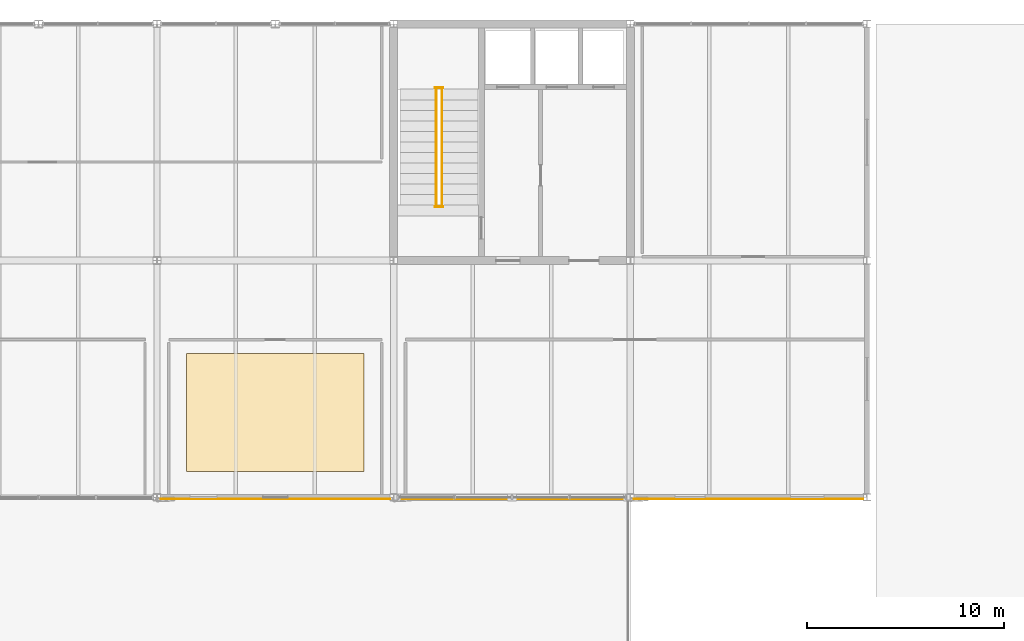
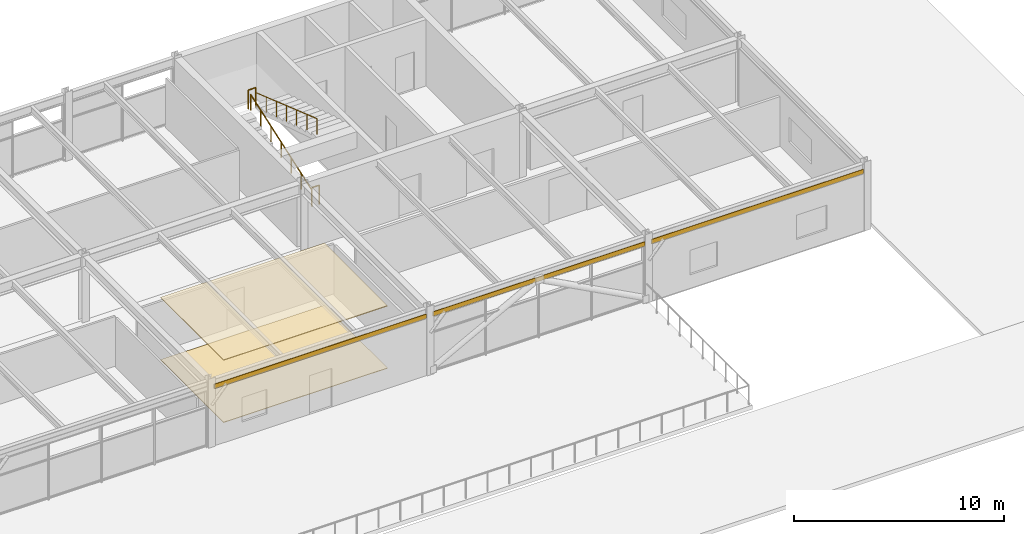
# One storey, part 30 of 30: 4 railings, 3 shading devices, 2 coverings.
"""IFC4 building model written with IfcOpenShell, lengths in metres."""

import ifcopenshell
import ifcopenshell.guid

model = None  # the IFC model being written
_history = None  # IfcOwnerHistory: only IFC2X3 demands one
_inside = {}  # id of a spatial element -> (the spatial element, [elements in it])
_under = {}  # id of a project, library or spatial element -> (it, [spatial elements below it])
_declared = {}  # id of a project -> (the project, [libraries it declares])
_typed = {}  # id of a type object -> (the type object, [elements of that type])
_made_of = {}  # id of a material, layer set ... -> (it, [elements and type objects made of it])


def new_model(schema):
    """Start an empty IFC model of exactly this schema.

    Asked for "IFC4X3", IfcOpenShell would pick the latest addendum, in which some entities
    have other attributes; the version numbers below select the first issue.
    IFC2X3 requires an IfcOwnerHistory on every rooted entity: one is made here for all.
    """
    global model, _history
    if schema == "IFC4X3":
        model = ifcopenshell.file(schema_version=(4, 3, 0, 0))
    else:
        model = ifcopenshell.file(schema=schema)
    _inside.clear()
    _under.clear()
    _declared.clear()
    _typed.clear()
    _made_of.clear()
    _history = None
    if model.schema == "IFC2X3":
        org = make("IfcOrganization", Name="unknown")
        user = make(
            "IfcPersonAndOrganization",
            ThePerson=make("IfcPerson", FamilyName="unknown"),
            TheOrganization=org,
        )
        app = make(
            "IfcApplication",
            ApplicationDeveloper=org,
            Version="unknown",
            ApplicationFullName="unknown",
            ApplicationIdentifier="unknown",
        )
        _history = make(
            "IfcOwnerHistory",
            OwningUser=user,
            OwningApplication=app,
            ChangeAction="ADDED",
            CreationDate=0,
        )
    return model


def make(cls, **values):
    """One entity of the class cls with the attributes given. An attribute that is None is left unset."""
    return model.create_entity(
        cls, **{name: value for name, value in values.items() if value is not None}
    )


def rooted(cls, **values):
    """An entity with a GlobalId (a new one), such as an element, a storey or a relation."""
    return make(cls, GlobalId=ifcopenshell.guid.new(), OwnerHistory=_history, **values)


def si_unit(unit_type, name, prefix=None):
    """IfcSIUnit, for example si_unit("LENGTHUNIT", "METRE", prefix="MILLI")."""
    return make("IfcSIUnit", UnitType=unit_type, Prefix=prefix, Name=name)


def assignment(units):
    """IfcUnitAssignment: the units of a project."""
    return None if units is None else make("IfcUnitAssignment", Units=units)


def point(xyz):
    """IfcCartesianPoint."""
    return None if xyz is None else make("IfcCartesianPoint", Coordinates=xyz)


def direction(xyz):
    """IfcDirection."""
    return None if xyz is None else make("IfcDirection", DirectionRatios=xyz)


def frame(location, z_axis=None, x_axis=None):
    """IfcAxis2Placement3D, a coordinate frame: its origin and axes. An axis left out is left unset."""
    return make(
        "IfcAxis2Placement3D",
        Location=point(location),
        Axis=direction(z_axis),
        RefDirection=direction(x_axis),
    )


def frame_2d(location, x_axis=None):
    """IfcAxis2Placement2D, a coordinate frame in the plane: its origin and x axis."""
    return make(
        "IfcAxis2Placement2D", Location=point(location), RefDirection=direction(x_axis)
    )


def origin():
    """The frame at (0, 0, 0) with its axes left unset."""
    return frame((0.0, 0.0, 0.0))


def origin_2d():
    """The frame at (0, 0) in the plane with its x axis left unset."""
    return frame_2d((0.0, 0.0))


def place(relative_to, where):
    """IfcLocalPlacement: puts the frame where relative to a parent placement (None: the world)."""
    return make(
        "IfcLocalPlacement", PlacementRelTo=relative_to, RelativePlacement=where
    )


def context(
    kind, dimensions, precision=None, world=None, true_north=None, identifier=None
):
    """IfcGeometricRepresentationContext, for example the 3D "Model" context."""
    return make(
        "IfcGeometricRepresentationContext",
        ContextIdentifier=identifier,
        ContextType=kind,
        CoordinateSpaceDimension=dimensions,
        Precision=precision,
        WorldCoordinateSystem=world,
        TrueNorth=true_north,
    )


def subcontext(parent, identifier, kind, view, scale=None):
    """IfcGeometricRepresentationSubContext, for example "Body" below "Model"."""
    return make(
        "IfcGeometricRepresentationSubContext",
        ContextIdentifier=identifier,
        ContextType=kind,
        ParentContext=parent,
        TargetScale=scale,
        TargetView=view,
    )


def project(units=None, contexts=None):
    """IfcProject with its units and contexts."""
    return rooted(
        "IfcProject",
        Name="project",
        RepresentationContexts=contexts,
        UnitsInContext=assignment(units),
    )


def spatial(cls, under=None, at=None, **own):
    """A site, building, storey or space (cls), placed at a placement, below another one or the project."""
    s = rooted(cls, ObjectPlacement=at, **own)
    if under is not None:
        _under.setdefault(under.id(), (under, []))[1].append(s)
    return s


def profile(cls, at=None, kind="AREA", **sizes):
    """A parametric profile (cls). Its sizes go by their IFC names, for example OverallWidth=200.0."""
    return make(cls, ProfileType=kind, Position=at, **sizes)


def rectangle(**sizes):
    """IfcRectangleProfileDef."""
    return profile("IfcRectangleProfileDef", **sizes)


def circle(**sizes):
    """IfcCircleProfileDef."""
    return profile("IfcCircleProfileDef", **sizes)


def extrude(swept, where, along, depth):
    """IfcExtrudedAreaSolid: the profile swept, set in the frame where, extruded along a direction by depth."""
    return make(
        "IfcExtrudedAreaSolid",
        SweptArea=swept,
        Position=where,
        ExtrudedDirection=direction(along),
        Depth=depth,
    )


def shape(context_of_items, identifier, shape_type, items):
    """IfcShapeRepresentation: the items that make up one representation, for example the "Body"."""
    return make(
        "IfcShapeRepresentation",
        ContextOfItems=context_of_items,
        RepresentationIdentifier=identifier,
        RepresentationType=shape_type,
        Items=items,
    )


def material(Name=None, Category=None):
    """IfcMaterial."""
    return make("IfcMaterial", Name=Name, Category=Category)


def layer(
    of_material, thickness, ventilated=None, Name=None, Category=None, Priority=None
):
    """IfcMaterialLayer: one layer of a wall or slab, of a material (None: an air gap)."""
    return make(
        "IfcMaterialLayer",
        Material=of_material,
        LayerThickness=thickness,
        IsVentilated=ventilated,
        Name=Name,
        Category=Category,
        Priority=Priority,
    )


def layer_set(layers, Name=None):
    """IfcMaterialLayerSet."""
    return make("IfcMaterialLayerSet", MaterialLayers=layers, LayerSetName=Name)


def made_of(thing, what):
    """Note that an element or type object is made of a material, layer set ...; save() writes the relation."""
    if what is not None:
        _made_of.setdefault(what.id(), (what, []))[1].append(thing)
    return thing


def type_object(cls, material=None, **own):
    """A type object (cls), such as IfcWallType, which elements share."""
    return made_of(rooted(cls, **own), material)


def element(
    cls,
    number,
    at=None,
    inside=None,
    cuts=None,
    type_object=None,
    material=None,
    context=None,
    identifier="Body",
    shape_type=None,
    held_by="IfcProductDefinitionShape",
    body=None,
    shapes=None,
    **own,
):
    """One element of the class cls, such as IfcWall. Its Tag is "e" and its number.

    at: its placement. inside: the storey or other place that contains it. cuts: it is an
    opening in that element (IfcRelVoidsElement). A single representation is given by context,
    identifier, shape_type and body (its items); several are given by shapes. held_by: the class
    of the entity that holds the representations. save() writes the other relations.
    """
    e = rooted(cls, Tag="e%d" % number, ObjectPlacement=at, **own)
    if body is not None:
        shapes = [shape(context, identifier, shape_type, body)]
    if shapes is not None:
        e.Representation = make(held_by, Representations=shapes)
    if inside is not None:
        _inside.setdefault(inside.id(), (inside, []))[1].append(e)
    if cuts is not None:
        rooted(
            "IfcRelVoidsElement", RelatingBuildingElement=cuts, RelatedOpeningElement=e
        )
    if type_object is not None:
        _typed.setdefault(type_object.id(), (type_object, []))[1].append(e)
    return made_of(e, material)


def aggregate(whole, parts):
    """IfcRelAggregates: a whole, such as a stair, and the parts it consists of."""
    return rooted("IfcRelAggregates", RelatingObject=whole, RelatedObjects=parts)


def save(model, path):
    """Write the relations noted so far, then the file.

    IfcRelAggregates (storeys below a building ...), IfcRelContainedInSpatialStructure (elements
    in a storey), IfcRelDefinesByType, IfcRelAssociatesMaterial and IfcRelDeclares: one each for
    every whole, place, type object, material and project.
    """
    for whole, parts in _under.values():
        aggregate(whole, parts)
    for where, things in _inside.values():
        rooted(
            "IfcRelContainedInSpatialStructure",
            RelatedElements=things,
            RelatingStructure=where,
        )
    for kind, things in _typed.values():
        rooted("IfcRelDefinesByType", RelatedObjects=things, RelatingType=kind)
    for what, things in _made_of.values():
        rooted("IfcRelAssociatesMaterial", RelatedObjects=things, RelatingMaterial=what)
    for by, libraries in _declared.values():
        rooted("IfcRelDeclares", RelatingContext=by, RelatedDefinitions=libraries)
    model.write(path)


model = new_model("IFC4")

# Units and contexts
model_context = context("Model", 3, precision=1e-05, world=origin(), true_north=direction((0.0, 1.0)))
body_context = subcontext(model_context, "Body", "Model", "MODEL_VIEW")
ifc_project = project(units=[si_unit("LENGTHUNIT", "METRE"), si_unit("AREAUNIT", "SQUARE_METRE"), si_unit("VOLUMEUNIT", "CUBIC_METRE"), si_unit("PLANEANGLEUNIT", "RADIAN"), si_unit("MASSUNIT", "GRAM", prefix="KILO")], contexts=[model_context])

# Site, building, storey
site_placement = place(None, origin())
site = spatial("IfcSite", under=ifc_project, at=site_placement, CompositionType="ELEMENT")
building_placement = place(site_placement, origin())
building = spatial("IfcBuilding", under=site, at=building_placement, Name="Girod Span Mobility Hub", CompositionType="ELEMENT")
storey_placement = place(building_placement, frame((0.0, 0.0, 49.60009765625)))
storey = spatial("IfcBuildingStorey", under=building, at=storey_placement, Name="L12", CompositionType="ELEMENT", Elevation=49.60009765625)

# Coverings
ifc_material_1 = material(Name="Perforated Mineral-Fibre Acoustic Ceiling Tile", Category="mineral")
ifc_layer_1 = layer(ifc_material_1, 0.044921875)
ifc_layer_set_1 = layer_set([ifc_layer_1], Name="Perforated Mineral-Fibre Acoustic Ceiling Tile")
covering_type_1 = type_object("IfcCoveringType", Name="COV-CLG-900X600", PredefinedType="CEILING", material=ifc_layer_set_1)
covering_1_placement = place(storey_placement, frame((102.0, 49.300048828125, 3.60498046875), z_axis=(0.0, 0.0, 1.0), x_axis=(1.0, 0.0, 0.0)))
element("IfcCovering", 1, at=covering_1_placement, inside=storey, type_object=covering_type_1, Name="Office Suite Terrace Portal East L12 Acoustic Ceiling", PredefinedType="CEILING", context=body_context, shape_type="SweptSolid", body=[
    extrude(rectangle(XDim=9.0, YDim=6.0, at=origin_2d()), origin(), (0.0, 0.0, 1.0), 0.044921875),
])
ifc_material_2 = material(Name="Epoxy Terrazzo and Raised Access Flooring", Category="polymer")
ifc_layer_2 = layer(ifc_material_2, 0.030029296875)
ifc_layer_set_2 = layer_set([ifc_layer_2], Name="Epoxy Terrazzo and Raised Access Flooring")
covering_type_2 = type_object("IfcCoveringType", Name="COV-FLR-900X600", PredefinedType="FLOORING", material=ifc_layer_set_2)
covering_2_placement = place(storey_placement, frame((102.0, 49.300048828125, 0.0), z_axis=(0.0, 0.0, 1.0), x_axis=(1.0, 0.0, 0.0)))
element("IfcCovering", 2, at=covering_2_placement, inside=storey, type_object=covering_type_2, Name="Office Suite Terrace Portal East L12 Floor Finish", PredefinedType="FLOORING", context=body_context, shape_type="SweptSolid", body=[
    extrude(rectangle(XDim=9.0, YDim=6.0, at=origin_2d()), origin(), (0.0, 0.0, 1.0), 0.030029296875),
])

# Railings
ifc_material_3 = material(Name="Painted Galvanised Steel", Category="steel")
ifc_layer_3 = layer(ifc_material_3, 0.06494140625)
ifc_layer_set_3 = layer_set([ifc_layer_3], Name="Painted Galvanised Steel")
railing_type_1 = type_object("IfcRailingType", Name="RL-GRD-1120", PredefinedType="GUARDRAIL", material=ifc_layer_set_3)
for number, where, name in (
    (3, (110.10009765625, 65.77001953125, 2.0), "Stair ST-2 Half-Landing Well Guard L12"),
    (4, (110.10009765625, 59.72998046875, 0.0), "Stair ST-2 Landing Well Guard L12"),
):
    element("IfcRailing", number, at=place(storey_placement, frame(where)), inside=storey, type_object=railing_type_1, Name=name, PredefinedType="GUARDRAIL", context=body_context, shape_type="SweptSolid", body=[
        extrude(circle(Radius=0.02392578125, at=origin_2d()), frame((0.0, 0.0, 1.09619140625), z_axis=(1.0, 0.0, 0.0), x_axis=(0.0, 1.0, 0.0)), (0.0, 0.0, 1.0), 0.39990234375),
        extrude(circle(Radius=0.02099609375, at=origin_2d()), origin(), (0.0, 0.0, 1.0), 1.072021484375),
        extrude(circle(Radius=0.02099609375, at=origin_2d()), frame((0.39990234375, 0.0, 0.0)), (0.0, 0.0, 1.0), 1.072021484375),
    ])
ifc_material_4 = material(Name="Painted Galvanised Steel", Category="steel")
ifc_layer_4 = layer(ifc_material_4, 0.050048828125)
ifc_layer_set_4 = layer_set([ifc_layer_4], Name="Painted Galvanised Steel")
railing_type_2 = type_object("IfcRailingType", Name="RL-HR-920", PredefinedType="HANDRAIL", material=ifc_layer_set_4)
railing_1_placement = place(storey_placement, frame((110.14990234375, 59.860107421875, 0.0)))
element("IfcRailing", 5, at=railing_1_placement, inside=storey, type_object=railing_type_2, Name="Stair ST-2 Flight 1 Handrail L12", PredefinedType="HANDRAIL", context=body_context, shape_type="SweptSolid", body=[
    extrude(circle(Radius=0.02392578125, at=origin_2d()), frame((0.0, 0.0, 0.89599609375), z_axis=(0.0, 0.945021187488, 0.327009105681), x_axis=(-1.0, 0.0, 0.0)), (0.0, 0.0, 1.0), 6.115966796875),
    extrude(circle(Radius=0.02099609375, at=origin_2d()), origin(), (0.0, 0.0, 1.0), 0.871826171875),
    extrude(circle(Radius=0.02099609375, at=origin_2d()), frame((0.0, 0.96337890625, 0.333251953125)), (0.0, 0.0, 1.0), 0.871826171875),
    extrude(circle(Radius=0.02099609375, at=origin_2d()), frame((0.0, 1.926513671875, 0.666748046875)), (0.0, 0.0, 1.0), 0.871826171875),
    extrude(circle(Radius=0.02099609375, at=origin_2d()), frame((0.0, 2.889892578125, 1.0)), (0.0, 0.0, 1.0), 0.871826171875),
    extrude(circle(Radius=0.02099609375, at=origin_2d()), frame((0.0, 3.853271484375, 1.333251953125)), (0.0, 0.0, 1.0), 0.871826171875),
    extrude(circle(Radius=0.02099609375, at=origin_2d()), frame((0.0, 4.81640625, 1.666748046875)), (0.0, 0.0, 1.0), 0.871826171875),
    extrude(circle(Radius=0.02099609375, at=origin_2d()), frame((0.0, 5.77978515625, 2.0)), (0.0, 0.0, 1.0), 0.871826171875),
])
railing_2_placement = place(storey_placement, frame((110.449951171875, 65.639892578125, 2.0)))
element("IfcRailing", 6, at=railing_2_placement, inside=storey, type_object=railing_type_2, Name="Stair ST-2 Flight 2 Handrail L12", PredefinedType="HANDRAIL", context=body_context, shape_type="SweptSolid", body=[
    extrude(circle(Radius=0.02392578125, at=origin_2d()), frame((0.0, 0.0, 0.89599609375), z_axis=(0.0, -0.945021187488, 0.327009105681), x_axis=(1.0, 0.0, 0.0)), (0.0, 0.0, 1.0), 6.115966796875),
    extrude(circle(Radius=0.02099609375, at=origin_2d()), origin(), (0.0, 0.0, 1.0), 0.871826171875),
    extrude(circle(Radius=0.02099609375, at=origin_2d()), frame((0.0, -0.96337890625, 0.333251953125)), (0.0, 0.0, 1.0), 0.871826171875),
    extrude(circle(Radius=0.02099609375, at=origin_2d()), frame((0.0, -1.926513671875, 0.666748046875)), (0.0, 0.0, 1.0), 0.871826171875),
    extrude(circle(Radius=0.02099609375, at=origin_2d()), frame((0.0, -2.889892578125, 1.0)), (0.0, 0.0, 1.0), 0.871826171875),
    extrude(circle(Radius=0.02099609375, at=origin_2d()), frame((0.0, -3.853271484375, 1.333251953125)), (0.0, 0.0, 1.0), 0.871826171875),
    extrude(circle(Radius=0.02099609375, at=origin_2d()), frame((0.0, -4.81640625, 1.666748046875)), (0.0, 0.0, 1.0), 0.871826171875),
    extrude(circle(Radius=0.02099609375, at=origin_2d()), frame((0.0, -5.77978515625, 2.0)), (0.0, 0.0, 1.0), 0.871826171875),
])

# Shading devices
ifc_material_5 = material(Name="Aluminium 6063-T6", Category="aluminium")
ifc_layer_5 = layer(ifc_material_5, 0.030029296875)
ifc_layer_set_5 = layer_set([ifc_layer_5], Name="Aluminium 6063-T6")
shading_device_type = type_object("IfcShadingDeviceType", Name="SHD-SHT-11635X260X30", PredefinedType="SHUTTER", material=ifc_layer_set_5)
for number, where, z_axis, x_axis, name in (
    (7, (102.0, 44.919921875, 3.28076171875), (0.0, 0.0, 1.0), (1.0, 0.0, 0.0), "External Solar Shading Blade 9 L12"),
    (8, (114.0, 44.919921875, 3.28076171875), (0.0, 0.0, 1.0), (1.0, 0.0, 0.0), "External Solar Shading Blade 10 L12"),
    (9, (126.0, 44.919921875, 3.28076171875), (0.0, 0.0, 1.0), (1.0, 0.0, 0.0), "External Solar Shading Blade 11 L12"),
):
    element("IfcShadingDevice", number, at=place(storey_placement, frame(where, z_axis=z_axis, x_axis=x_axis)), inside=storey, type_object=shading_device_type, Name=name, PredefinedType="SHUTTER", context=body_context, shape_type="SweptSolid", body=[
        extrude(rectangle(XDim=11.635009765625, YDim=0.030029296875, at=origin_2d()), origin(), (0.0, 0.0, 1.0), 0.260009765625),
    ])

save(model, "model.ifc")
